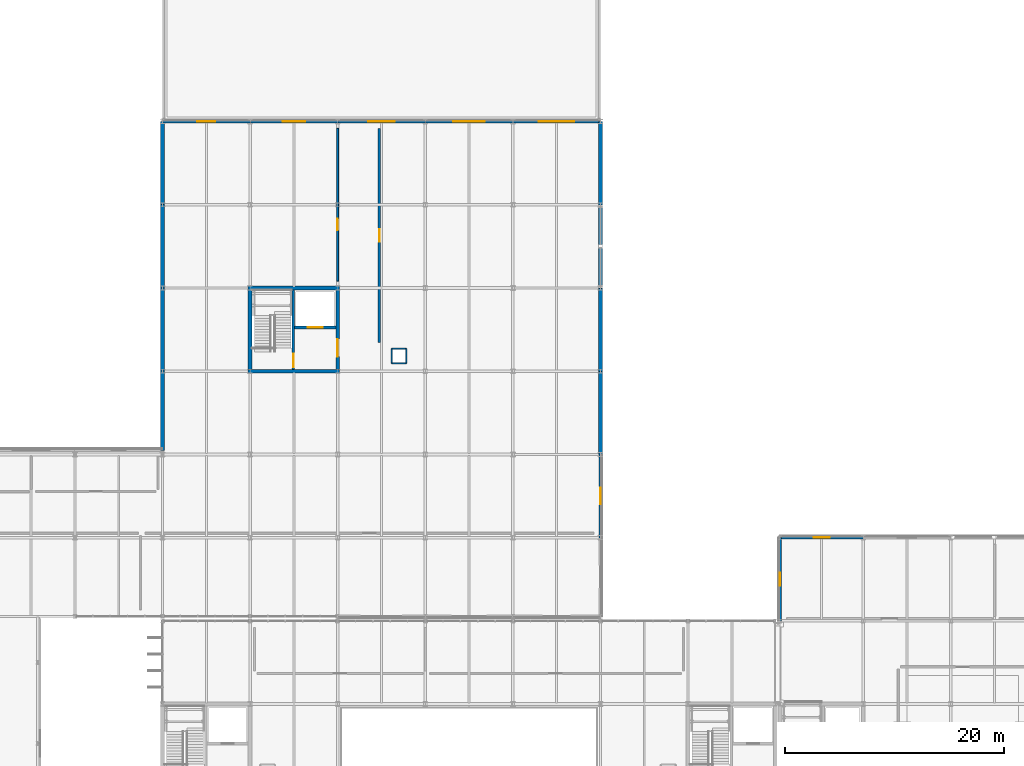
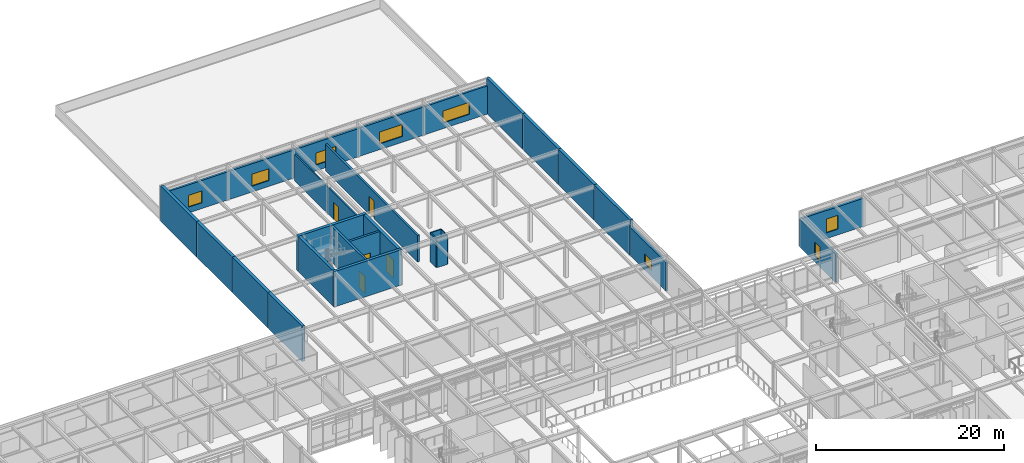
# One storey, part 86 of 104: 28 walls, 8 windows, 5 doors, 13 openings.
"""IFC4 building model written with IfcOpenShell, lengths in metres."""

from ifc_helpers import new_model, si_unit, direction, frame, frame_2d, origin, place, context, subcontext, project, spatial, rectangle, extrude, material, layer, layer_set, type_object, element, fill, save


model = new_model("IFC4")

# Units and contexts
model_context = context("Model", 3, precision=1e-05, world=origin(), true_north=direction((0.0, 1.0)))
body_context = subcontext(model_context, "Body", "Model", "MODEL_VIEW")
ifc_project = project(units=[si_unit("LENGTHUNIT", "METRE"), si_unit("AREAUNIT", "SQUARE_METRE"), si_unit("VOLUMEUNIT", "CUBIC_METRE"), si_unit("PLANEANGLEUNIT", "RADIAN"), si_unit("MASSUNIT", "GRAM", prefix="KILO")], contexts=[model_context])

# Site, building, storey
site_placement = place(None, origin())
site = spatial("IfcSite", under=ifc_project, at=site_placement, CompositionType="ELEMENT")
building_placement = place(site_placement, origin())
building = spatial("IfcBuilding", under=site, at=building_placement, Name="Zulena Civic Courthouse", CompositionType="ELEMENT")
storey_placement = place(building_placement, frame((0.0, 0.0, 10.800048828125)))
storey = spatial("IfcBuildingStorey", under=building, at=storey_placement, Name="L02", CompositionType="ELEMENT", Elevation=10.800048828125)

# Wall, opening, door
ifc_material_1 = material(Name="Concrete C40/50", Category="concrete")
ifc_layer_1 = layer(ifc_material_1, 0.25)
ifc_layer_set_1 = layer_set([ifc_layer_1], Name="Concrete C40/50")
wall_type_1 = type_object("IfcWallType", Name="CoreShearWall_RC250", PredefinedType="SHEAR", material=ifc_layer_set_1)
wall_1_placement = place(storey_placement, frame((79.949951171875, 68.574951171875, 0.0), z_axis=(0.0, 0.0, 1.0), x_axis=(0.0, 1.0, 0.0)))
wall_1 = element("IfcWall", 1, at=wall_1_placement, inside=storey, type_object=wall_type_1, Name="cwall:K5B:L02:DIV", PredefinedType="SHEAR", context=body_context, shape_type="SweptSolid", body=[
    extrude(rectangle(XDim=7.25, YDim=0.25, at=frame_2d((3.625, 0.0))), origin(), (0.0, 0.0, 1.0), 4.58984375),
])
opening_1_placement = place(wall_1_placement, frame((0.179931640625, 0.0, 0.0)))
opening_1 = element("IfcOpeningElement", 2, at=opening_1_placement, cuts=wall_1, Name="Opening ID06", PredefinedType="OPENING", context=body_context, shape_type="SweptSolid", body=[
    extrude(rectangle(XDim=1.25, YDim=2.199951171875, at=frame_2d((0.625, 1.10009765625))), frame((0.0, 0.135009765625, 0.0), z_axis=(0.0, -1.0, 0.0), x_axis=(1.0, 0.0, 0.0)), (0.0, 0.0, 1.0), 0.27001953125),
])
ifc_material_2 = material(Name="Fire-rated galvanised steel ASTM A653 Grade 50", Category="steel")
door_type_1 = type_object("IfcDoorType", Name="IntDoor_Stair_1250x2200", OperationType="NOTDEFINED", PredefinedType="DOOR", material=ifc_material_2)
door_1_placement = place(opening_1_placement, origin())
door_1 = element("IfcDoor", 3, at=door_1_placement, inside=storey, type_object=door_type_1, Name="door:stair:K5B:L02", OperationType="SINGLE_SWING_LEFT", OverallHeight=2.199951171875, OverallWidth=1.25, PredefinedType="DOOR", context=body_context, shape_type="SweptSolid", body=[
    extrude(rectangle(XDim=1.25, YDim=2.199951171875, at=frame_2d((0.625, 1.10009765625))), frame((0.0, 0.02490234375, 0.0), z_axis=(0.0, -1.0, 0.0), x_axis=(1.0, 0.0, 0.0)), (0.0, 0.0, 1.0), 0.050048828125),
])
fill(opening_1, door_1)

wall_2_placement = place(storey_placement, frame((80.074951171875, 72.39990234375, 0.0), z_axis=(0.0, 0.0, 1.0), x_axis=(1.0, 0.0, 0.0)))
wall_2 = element("IfcWall", 4, at=wall_2_placement, inside=storey, type_object=wall_type_1, Name="cwall:K5B:L02:SHF", PredefinedType="SHEAR", context=body_context, shape_type="SweptSolid", body=[
    extrude(rectangle(XDim=3.75, YDim=0.25, at=frame_2d((1.875, 0.0))), origin(), (0.0, 0.0, 1.0), 4.58984375),
])
opening_2_placement = place(wall_2_placement, frame((1.195068359375, 0.0, 0.0)))
opening_2 = element("IfcOpeningElement", 5, at=opening_2_placement, cuts=wall_2, Name="Opening LD04", PredefinedType="OPENING", context=body_context, shape_type="SweptSolid", body=[
    extrude(rectangle(XDim=1.35009765625, YDim=2.199951171875, at=frame_2d((0.675048828125, 1.10009765625))), frame((0.0, 0.135009765625, 0.0), z_axis=(0.0, -1.0, 0.0), x_axis=(1.0, 0.0, 0.0)), (0.0, 0.0, 1.0), 0.27001953125),
])
door_type_2 = type_object("IfcDoorType", Name="LiftLandingDoor_Goods_1350x2300", OperationType="DOUBLE_DOOR_SLIDING", PredefinedType="DOOR", material=ifc_material_2)
door_2_placement = place(opening_2_placement, origin())
door_2 = element("IfcDoor", 6, at=door_2_placement, inside=storey, type_object=door_type_2, Name="door:ld:CL-02:L02", OperationType="DOUBLE_DOOR_SLIDING", OverallHeight=2.199951171875, OverallWidth=1.35009765625, PredefinedType="DOOR", context=body_context, shape_type="SweptSolid", body=[
    extrude(rectangle(XDim=1.35009765625, YDim=2.199951171875, at=frame_2d((0.675048828125, 1.10009765625))), frame((0.0, 0.02490234375, 0.0), z_axis=(0.0, -1.0, 0.0), x_axis=(1.0, 0.0, 0.0)), (0.0, 0.0, 1.0), 0.050048828125),
])
fill(opening_2, door_2)

# Walls
ifc_layer_2 = layer(ifc_material_1, 0.35009765625)
ifc_layer_set_2 = layer_set([ifc_layer_2], Name="Concrete C40/50")
wall_type_2 = type_object("IfcWallType", Name="CoreShearWall_RC350", PredefinedType="SHEAR", material=ifc_layer_set_2)
for number, where, z_axis, x_axis, name in (
    (7, (75.824951171875, 68.39990234375, 0.0), (0.0, 0.0, 1.0), (1.0, 0.0, 0.0), "cwall:K5B:L02:S"),
    (8, (75.824951171875, 76.0, 0.0), (0.0, 0.0, 1.0), (1.0, 0.0, 0.0), "cwall:K5B:L02:N"),
):
    element("IfcWall", number, at=place(storey_placement, frame(where, z_axis=z_axis, x_axis=x_axis)), inside=storey, type_object=wall_type_2, Name=name, PredefinedType="SHEAR", context=body_context, shape_type="SweptSolid", body=[
        extrude(rectangle(XDim=8.35009765625, YDim=0.35009765625, at=frame_2d((4.175048828125, 0.0))), origin(), (0.0, 0.0, 1.0), 4.58984375),
    ])
wall_3_placement = place(storey_placement, frame((76.0, 68.574951171875, 0.0), z_axis=(0.0, 0.0, 1.0), x_axis=(0.0, 1.0, 0.0)))
element("IfcWall", 9, at=wall_3_placement, inside=storey, type_object=wall_type_2, Name="cwall:K5B:L02:W", PredefinedType="SHEAR", context=body_context, shape_type="SweptSolid", body=[
    extrude(rectangle(XDim=7.25, YDim=0.35009765625, at=frame_2d((3.625, 0.0))), origin(), (0.0, 0.0, 1.0), 4.58984375),
])

# Wall, opening, door
wall_4_placement = place(storey_placement, frame((84.0, 68.574951171875, 0.0), z_axis=(0.0, 0.0, 1.0), x_axis=(0.0, 1.0, 0.0)))
wall_4 = element("IfcWall", 10, at=wall_4_placement, inside=storey, type_object=wall_type_2, Name="cwall:K5B:L02:E", PredefinedType="SHEAR", context=body_context, shape_type="SweptSolid", body=[
    extrude(rectangle(XDim=7.25, YDim=0.35009765625, at=frame_2d((3.625, 0.0))), origin(), (0.0, 0.0, 1.0), 4.58984375),
])
opening_3_placement = place(wall_4_placement, frame((1.14990234375, 0.0, 0.0)))
opening_3 = element("IfcOpeningElement", 11, at=opening_3_placement, cuts=wall_4, Name="Opening ID04", PredefinedType="OPENING", context=body_context, shape_type="SweptSolid", body=[
    extrude(rectangle(XDim=1.60009765625, YDim=2.35009765625, at=frame_2d((0.800048828125, 1.175048828125))), frame((0.0, 0.18505859375, 0.0), z_axis=(0.0, -1.0, 0.0), x_axis=(1.0, 0.0, 0.0)), (0.0, 0.0, 1.0), 0.3701171875),
])
ifc_material_3 = material(Name="Solid-core acoustic hardwood timber", Category="wood")
door_type_3 = type_object("IfcDoorType", Name="IntDoor_CourtPublic_1600x2350", OperationType="DOUBLE_DOOR_SINGLE_SWING", PredefinedType="DOOR", material=ifc_material_3)
door_3_placement = place(opening_3_placement, origin())
door_3 = element("IfcDoor", 12, at=door_3_placement, inside=storey, type_object=door_type_3, Name="door:corelob:K5B:L02", OperationType="DOUBLE_DOOR_SINGLE_SWING", OverallHeight=2.35009765625, OverallWidth=1.60009765625, PredefinedType="DOOR", context=body_context, shape_type="SweptSolid", body=[
    extrude(rectangle(XDim=1.60009765625, YDim=2.35009765625, at=frame_2d((0.800048828125, 1.175048828125))), frame((0.0, 0.02490234375, 0.0), z_axis=(0.0, -1.0, 0.0), x_axis=(1.0, 0.0, 0.0)), (0.0, 0.0, 1.0), 0.050048828125),
])
fill(opening_3, door_3)

# Wall, opening, window
ifc_material_4 = material(Name="Buff architectural precast concrete C40/50", Category="concrete")
ifc_layer_3 = layer(ifc_material_4, 0.264892578125)
ifc_layer_set_3 = layer_set([ifc_layer_3], Name="Buff architectural precast concrete C40/50")
wall_type_3 = type_object("IfcWallType", Name="ExtWall_BuffPrecast_265", PredefinedType="STANDARD", material=ifc_layer_set_3)
wall_5_placement = place(storey_placement, frame((67.97998046875, 91.199951171875, 0.0), z_axis=(0.0, 0.0, 1.0), x_axis=(1.0, 0.0, 0.0)))
wall_5 = element("IfcWall", 13, at=wall_5_placement, inside=storey, type_object=wall_type_3, Name="ewall:V5:L02:3:0", PredefinedType="STANDARD", context=body_context, shape_type="SweptSolid", body=[
    extrude(rectangle(XDim=8.0400390625, YDim=0.264892578125, at=frame_2d((4.02001953125, 0.0))), origin(), (0.0, 0.0, 1.0), 3.659912109375),
])
opening_4_placement = place(wall_5_placement, frame((3.195068359375, 0.0, 0.75)))
opening_4 = element("IfcOpeningElement", 14, at=opening_4_placement, cuts=wall_5, Name="Opening WN25", PredefinedType="OPENING", context=body_context, shape_type="SweptSolid", body=[
    extrude(rectangle(XDim=1.64990234375, YDim=1.550048828125, at=frame_2d((0.824951171875, 0.77490234375))), frame((0.0, 0.142333984375, 0.0), z_axis=(0.0, -1.0, 0.0), x_axis=(1.0, 0.0, 0.0)), (0.0, 0.0, 1.0), 0.284912109375),
])
ifc_material_5 = material(Name="Double-silver low-E laminated solar-control glass", Category="glass")
window_type_1 = type_object("IfcWindowType", Name="Win_1650x1550", PartitioningType="SINGLE_PANEL", PredefinedType="WINDOW", material=ifc_material_5)
window_1_placement = place(opening_4_placement, origin())
window_1 = element("IfcWindow", 15, at=window_1_placement, inside=storey, type_object=window_type_1, Name="win:V5:L02:3:0", OverallHeight=1.550048828125, OverallWidth=1.64990234375, PartitioningType="SINGLE_PANEL", PredefinedType="WINDOW", context=body_context, shape_type="SweptSolid", body=[
    extrude(rectangle(XDim=1.64990234375, YDim=1.550048828125, at=frame_2d((0.824951171875, 0.77490234375))), frame((0.0, 0.030029296875, 0.0), z_axis=(0.0, -1.0, 0.0), x_axis=(1.0, 0.0, 0.0)), (0.0, 0.0, 1.0), 0.06005859375),
])
fill(opening_4, window_1)

wall_6_placement = place(storey_placement, frame((75.97998046875, 91.199951171875, 0.0), z_axis=(0.0, 0.0, 1.0), x_axis=(1.0, 0.0, 0.0)))
wall_6 = element("IfcWall", 16, at=wall_6_placement, inside=storey, type_object=wall_type_3, Name="ewall:V5:L02:3:1", PredefinedType="STANDARD", context=body_context, shape_type="SweptSolid", body=[
    extrude(rectangle(XDim=8.0400390625, YDim=0.264892578125, at=frame_2d((4.02001953125, 0.0))), origin(), (0.0, 0.0, 1.0), 3.659912109375),
])
opening_5_placement = place(wall_6_placement, frame((2.9951171875, 0.0, 0.75)))
opening_5 = element("IfcOpeningElement", 17, at=opening_5_placement, cuts=wall_6, Name="Opening WN26", PredefinedType="OPENING", context=body_context, shape_type="SweptSolid", body=[
    extrude(rectangle(XDim=2.050048828125, YDim=1.550048828125, at=frame_2d((1.02490234375, 0.77490234375))), frame((0.0, 0.142333984375, 0.0), z_axis=(0.0, -1.0, 0.0), x_axis=(1.0, 0.0, 0.0)), (0.0, 0.0, 1.0), 0.284912109375),
])
window_type_2 = type_object("IfcWindowType", Name="Win_2050x1550", PartitioningType="DOUBLE_PANEL_VERTICAL", PredefinedType="WINDOW", material=ifc_material_5)
window_2_placement = place(opening_5_placement, origin())
window_2 = element("IfcWindow", 18, at=window_2_placement, inside=storey, type_object=window_type_2, Name="win:V5:L02:3:1", OverallHeight=1.550048828125, OverallWidth=2.050048828125, PartitioningType="SINGLE_PANEL", PredefinedType="WINDOW", context=body_context, shape_type="SweptSolid", body=[
    extrude(rectangle(XDim=2.050048828125, YDim=1.550048828125, at=frame_2d((1.02490234375, 0.77490234375))), frame((0.0, 0.030029296875, 0.0), z_axis=(0.0, -1.0, 0.0), x_axis=(1.0, 0.0, 0.0)), (0.0, 0.0, 1.0), 0.06005859375),
])
fill(opening_5, window_2)

wall_7_placement = place(storey_placement, frame((83.97998046875, 91.199951171875, 0.0), z_axis=(0.0, 0.0, 1.0), x_axis=(1.0, 0.0, 0.0)))
wall_7 = element("IfcWall", 19, at=wall_7_placement, inside=storey, type_object=wall_type_3, Name="ewall:V5:L02:3:2", PredefinedType="STANDARD", context=body_context, shape_type="SweptSolid", body=[
    extrude(rectangle(XDim=8.0400390625, YDim=0.264892578125, at=frame_2d((4.02001953125, 0.0))), origin(), (0.0, 0.0, 1.0), 3.659912109375),
])
opening_6_placement = place(wall_7_placement, frame((2.794921875, 0.0, 0.75)))
opening_6 = element("IfcOpeningElement", 20, at=opening_6_placement, cuts=wall_7, Name="Opening WN27", PredefinedType="OPENING", context=body_context, shape_type="SweptSolid", body=[
    extrude(rectangle(XDim=2.449951171875, YDim=1.550048828125, at=frame_2d((1.22509765625, 0.77490234375))), frame((0.0, 0.142333984375, 0.0), z_axis=(0.0, -1.0, 0.0), x_axis=(1.0, 0.0, 0.0)), (0.0, 0.0, 1.0), 0.284912109375),
])
window_type_3 = type_object("IfcWindowType", Name="Win_2450x1550", PartitioningType="DOUBLE_PANEL_VERTICAL", PredefinedType="WINDOW", material=ifc_material_5)
window_3_placement = place(opening_6_placement, origin())
window_3 = element("IfcWindow", 21, at=window_3_placement, inside=storey, type_object=window_type_3, Name="win:V5:L02:3:2", OverallHeight=1.550048828125, OverallWidth=2.449951171875, PartitioningType="SINGLE_PANEL", PredefinedType="WINDOW", context=body_context, shape_type="SweptSolid", body=[
    extrude(rectangle(XDim=2.449951171875, YDim=1.550048828125, at=frame_2d((1.22509765625, 0.77490234375))), frame((0.0, 0.030029296875, 0.0), z_axis=(0.0, -1.0, 0.0), x_axis=(1.0, 0.0, 0.0)), (0.0, 0.0, 1.0), 0.06005859375),
])
fill(opening_6, window_3)

wall_8_placement = place(storey_placement, frame((91.97998046875, 91.199951171875, 0.0), z_axis=(0.0, 0.0, 1.0), x_axis=(1.0, 0.0, 0.0)))
wall_8 = element("IfcWall", 22, at=wall_8_placement, inside=storey, type_object=wall_type_3, Name="ewall:V5:L02:3:3", PredefinedType="STANDARD", context=body_context, shape_type="SweptSolid", body=[
    extrude(rectangle(XDim=8.0400390625, YDim=0.264892578125, at=frame_2d((4.02001953125, 0.0))), origin(), (0.0, 0.0, 1.0), 3.659912109375),
])
opening_7_placement = place(wall_8_placement, frame((2.594970703125, 0.0, 0.75)))
opening_7 = element("IfcOpeningElement", 23, at=opening_7_placement, cuts=wall_8, Name="Opening WN28", PredefinedType="OPENING", context=body_context, shape_type="SweptSolid", body=[
    extrude(rectangle(XDim=2.85009765625, YDim=1.550048828125, at=frame_2d((1.425048828125, 0.77490234375))), frame((0.0, 0.142333984375, 0.0), z_axis=(0.0, -1.0, 0.0), x_axis=(1.0, 0.0, 0.0)), (0.0, 0.0, 1.0), 0.284912109375),
])
window_type_4 = type_object("IfcWindowType", Name="Win_2850x1550", PartitioningType="DOUBLE_PANEL_VERTICAL", PredefinedType="WINDOW", material=ifc_material_5)
window_4_placement = place(opening_7_placement, origin())
window_4 = element("IfcWindow", 24, at=window_4_placement, inside=storey, type_object=window_type_4, Name="win:V5:L02:3:3", OverallHeight=1.550048828125, OverallWidth=2.85009765625, PartitioningType="SINGLE_PANEL", PredefinedType="WINDOW", context=body_context, shape_type="SweptSolid", body=[
    extrude(rectangle(XDim=2.85009765625, YDim=1.550048828125, at=frame_2d((1.425048828125, 0.77490234375))), frame((0.0, 0.030029296875, 0.0), z_axis=(0.0, -1.0, 0.0), x_axis=(1.0, 0.0, 0.0)), (0.0, 0.0, 1.0), 0.06005859375),
])
fill(opening_7, window_4)

wall_9_placement = place(storey_placement, frame((99.97998046875, 91.199951171875, 0.0), z_axis=(0.0, 0.0, 1.0), x_axis=(1.0, 0.0, 0.0)))
wall_9 = element("IfcWall", 25, at=wall_9_placement, inside=storey, type_object=wall_type_3, Name="ewall:V5:L02:3:4", PredefinedType="STANDARD", context=body_context, shape_type="SweptSolid", body=[
    extrude(rectangle(XDim=8.0400390625, YDim=0.264892578125, at=frame_2d((4.02001953125, 0.0))), origin(), (0.0, 0.0, 1.0), 3.659912109375),
])
opening_8_placement = place(wall_9_placement, frame((2.39501953125, 0.0, 0.75)))
opening_8 = element("IfcOpeningElement", 26, at=opening_8_placement, cuts=wall_9, Name="Opening WN29", PredefinedType="OPENING", context=body_context, shape_type="SweptSolid", body=[
    extrude(rectangle(XDim=3.25, YDim=1.550048828125, at=frame_2d((1.625, 0.77490234375))), frame((0.0, 0.142333984375, 0.0), z_axis=(0.0, -1.0, 0.0), x_axis=(1.0, 0.0, 0.0)), (0.0, 0.0, 1.0), 0.284912109375),
])
window_type_5 = type_object("IfcWindowType", Name="Win_3250x1550", PartitioningType="DOUBLE_PANEL_VERTICAL", PredefinedType="WINDOW", material=ifc_material_5)
window_5_placement = place(opening_8_placement, origin())
window_5 = element("IfcWindow", 27, at=window_5_placement, inside=storey, type_object=window_type_5, Name="win:V5:L02:3:4", OverallHeight=1.550048828125, OverallWidth=3.25, PartitioningType="SINGLE_PANEL", PredefinedType="WINDOW", context=body_context, shape_type="SweptSolid", body=[
    extrude(rectangle(XDim=3.25, YDim=1.550048828125, at=frame_2d((1.625, 0.77490234375))), frame((0.0, 0.030029296875, 0.0), z_axis=(0.0, -1.0, 0.0), x_axis=(1.0, 0.0, 0.0)), (0.0, 0.0, 1.0), 0.06005859375),
])
fill(opening_8, window_5)

wall_10_placement = place(storey_placement, frame((108.0, 60.820068359375, 0.0), z_axis=(0.0, 0.0, 1.0), x_axis=(0.0, -1.0, 0.0)))
wall_10 = element("IfcWall", 28, at=wall_10_placement, inside=storey, type_object=wall_type_3, Name="ewall:V5:L02:4:4", PredefinedType="STANDARD", context=body_context, shape_type="SweptSolid", body=[
    extrude(rectangle(XDim=7.64013671875, YDim=0.264892578125, at=frame_2d((3.820068359375, 0.0))), origin(), (0.0, 0.0, 1.0), 3.659912109375),
])
opening_9_placement = place(wall_10_placement, frame((3.070068359375, 0.0, 0.75)))
opening_9 = element("IfcOpeningElement", 29, at=opening_9_placement, cuts=wall_10, Name="Opening WN30", PredefinedType="OPENING", context=body_context, shape_type="SweptSolid", body=[
    extrude(rectangle(XDim=1.5, YDim=1.300048828125, at=frame_2d((0.75, 0.64990234375))), frame((0.0, 0.142333984375, 0.0), z_axis=(0.0, -1.0, 0.0), x_axis=(1.0, 0.0, 0.0)), (0.0, 0.0, 1.0), 0.284912109375),
])
window_type_6 = type_object("IfcWindowType", Name="Win_1500x1300", PartitioningType="SINGLE_PANEL", PredefinedType="WINDOW", material=ifc_material_5)
window_6_placement = place(opening_9_placement, origin())
window_6 = element("IfcWindow", 30, at=window_6_placement, inside=storey, type_object=window_type_6, Name="win:V5:L02:4:4", OverallHeight=1.300048828125, OverallWidth=1.5, PartitioningType="SINGLE_PANEL", PredefinedType="WINDOW", context=body_context, shape_type="SweptSolid", body=[
    extrude(rectangle(XDim=1.5, YDim=1.300048828125, at=frame_2d((0.75, 0.64990234375))), frame((0.0, 0.030029296875, 0.0), z_axis=(0.0, -1.0, 0.0), x_axis=(1.0, 0.0, 0.0)), (0.0, 0.0, 1.0), 0.06005859375),
])
fill(opening_9, window_6)

# Walls
ifc_layer_4 = layer(ifc_material_1, 0.360107421875)
ifc_layer_set_4 = layer_set([ifc_layer_4], Name="Concrete C40/50")
wall_type_4 = type_object("IfcWallType", Name="ExtWall_PartyWall_360", PredefinedType="STANDARD", material=ifc_layer_set_4)
wall_11_placement = place(storey_placement, frame((68.0, 61.179931640625, 0.0), z_axis=(0.0, 0.0, 1.0), x_axis=(0.0, 1.0, 0.0)))
element("IfcWall", 31, at=wall_11_placement, inside=storey, type_object=wall_type_4, Name="ewall:V5:L02:2:0", PredefinedType="STANDARD", context=body_context, shape_type="SweptSolid", body=[
    extrude(rectangle(XDim=7.239990234375, YDim=0.360107421875, at=frame_2d((3.6201171875, 0.0))), origin(), (0.0, 0.0, 1.0), 4.599853515625),
])
for number, where, z_axis, x_axis, name in (
    (32, (68.0, 68.3798828125, 0.0), (0.0, 0.0, 1.0), (0.0, 1.0, 0.0), "ewall:V5:L02:2:1"),
    (33, (68.0, 75.97998046875, 0.0), (0.0, 0.0, 1.0), (0.0, 1.0, 0.0), "ewall:V5:L02:2:2"),
):
    element("IfcWall", number, at=place(storey_placement, frame(where, z_axis=z_axis, x_axis=x_axis)), inside=storey, type_object=wall_type_4, Name=name, PredefinedType="STANDARD", context=body_context, shape_type="SweptSolid", body=[
        extrude(rectangle(XDim=7.64013671875, YDim=0.360107421875, at=frame_2d((3.820068359375, 0.0))), origin(), (0.0, 0.0, 1.0), 4.599853515625),
    ])
for number, where, z_axis, x_axis, name in (
    (34, (68.0, 83.580078125, 0.0), (0.0, 0.0, 1.0), (0.0, 1.0, 0.0), "ewall:V5:L02:2:3"),
    (35, (108.0, 91.219970703125, 0.0), (0.0, 0.0, 1.0), (0.0, -1.0, 0.0), "ewall:V5:L02:4:0"),
):
    element("IfcWall", number, at=place(storey_placement, frame(where, z_axis=z_axis, x_axis=x_axis)), inside=storey, type_object=wall_type_4, Name=name, PredefinedType="STANDARD", context=body_context, shape_type="SweptSolid", body=[
        extrude(rectangle(XDim=7.639892578125, YDim=0.360107421875, at=frame_2d((3.81982421875, 0.0))), origin(), (0.0, 0.0, 1.0), 4.599853515625),
    ])
for number, where, z_axis, x_axis, name in (
    (36, (108.0, 83.6201171875, 0.0), (0.0, 0.0, 1.0), (0.0, -1.0, 0.0), "ewall:V5:L02:4:1"),
    (37, (108.0, 76.02001953125, 0.0), (0.0, 0.0, 1.0), (0.0, -1.0, 0.0), "ewall:V5:L02:4:2"),
):
    element("IfcWall", number, at=place(storey_placement, frame(where, z_axis=z_axis, x_axis=x_axis)), inside=storey, type_object=wall_type_4, Name=name, PredefinedType="STANDARD", context=body_context, shape_type="SweptSolid", body=[
        extrude(rectangle(XDim=7.64013671875, YDim=0.360107421875, at=frame_2d((3.820068359375, 0.0))), origin(), (0.0, 0.0, 1.0), 4.599853515625),
    ])
wall_12_placement = place(storey_placement, frame((108.0, 68.419921875, 0.0), z_axis=(0.0, 0.0, 1.0), x_axis=(0.0, -1.0, 0.0)))
element("IfcWall", 38, at=wall_12_placement, inside=storey, type_object=wall_type_4, Name="ewall:V5:L02:4:3", PredefinedType="STANDARD", context=body_context, shape_type="SweptSolid", body=[
    extrude(rectangle(XDim=7.639892578125, YDim=0.360107421875, at=frame_2d((3.81982421875, 0.0))), origin(), (0.0, 0.0, 1.0), 4.599853515625),
])

# Wall, opening, window
ifc_material_6 = material(Name="Travertine-cream architectural precast concrete C40/50", Category="masonry")
ifc_layer_5 = layer(ifc_material_6, 0.280029296875)
ifc_layer_set_5 = layer_set([ifc_layer_5], Name="Travertine-cream architectural precast concrete C40/50")
wall_type_5 = type_object("IfcWallType", Name="ExtWall_TravPrecast_280", PredefinedType="STANDARD", material=ifc_layer_set_5)
wall_13_placement = place(storey_placement, frame((124.39990234375, 45.580078125, 0.0), z_axis=(0.0, 0.0, 1.0), x_axis=(0.0, 1.0, 0.0)))
wall_13 = element("IfcWall", 39, at=wall_13_placement, inside=storey, type_object=wall_type_5, Name="ewall:V3:L02:0:2", PredefinedType="STANDARD", context=body_context, shape_type="SweptSolid", body=[
    extrude(rectangle(XDim=7.639892578125, YDim=0.280029296875, at=frame_2d((3.81982421875, 0.0))), origin(), (0.0, 0.0, 1.0), 3.659912109375),
])
opening_10_placement = place(wall_13_placement, frame((3.219970703125, 0.0, 0.75)))
opening_10 = element("IfcOpeningElement", 40, at=opening_10_placement, cuts=wall_13, Name="Opening WN16", PredefinedType="OPENING", context=body_context, shape_type="SweptSolid", body=[
    extrude(rectangle(XDim=1.199951171875, YDim=1.800048828125, at=frame_2d((0.60009765625, 0.89990234375))), frame((0.0, 0.14990234375, 0.0), z_axis=(0.0, -1.0, 0.0), x_axis=(1.0, 0.0, 0.0)), (0.0, 0.0, 1.0), 0.300048828125),
])
window_type_7 = type_object("IfcWindowType", Name="Win_1200x1800", PartitioningType="SINGLE_PANEL", PredefinedType="WINDOW", material=ifc_material_5)
window_7_placement = place(opening_10_placement, origin())
window_7 = element("IfcWindow", 41, at=window_7_placement, inside=storey, type_object=window_type_7, Name="win:V3:L02:0:2", OverallHeight=1.800048828125, OverallWidth=1.199951171875, PartitioningType="SINGLE_PANEL", PredefinedType="WINDOW", context=body_context, shape_type="SweptSolid", body=[
    extrude(rectangle(XDim=1.199951171875, YDim=1.800048828125, at=frame_2d((0.60009765625, 0.89990234375))), frame((0.0, 0.030029296875, 0.0), z_axis=(0.0, -1.0, 0.0), x_axis=(1.0, 0.0, 0.0)), (0.0, 0.0, 1.0), 0.06005859375),
])
fill(opening_10, window_7)

wall_14_placement = place(storey_placement, frame((124.3798828125, 53.199951171875, 0.0), z_axis=(0.0, 0.0, 1.0), x_axis=(1.0, 0.0, 0.0)))
wall_14 = element("IfcWall", 42, at=wall_14_placement, inside=storey, type_object=wall_type_5, Name="ewall:V3:L02:1:0", PredefinedType="STANDARD", context=body_context, shape_type="SweptSolid", body=[
    extrude(rectangle(XDim=7.64013671875, YDim=0.280029296875, at=frame_2d((3.820068359375, 0.0))), origin(), (0.0, 0.0, 1.0), 3.659912109375),
])
opening_11_placement = place(wall_14_placement, frame((3.094970703125, 0.0, 0.75)))
opening_11 = element("IfcOpeningElement", 43, at=opening_11_placement, cuts=wall_14, Name="Opening WN17", PredefinedType="OPENING", context=body_context, shape_type="SweptSolid", body=[
    extrude(rectangle(XDim=1.449951171875, YDim=1.800048828125, at=frame_2d((0.72509765625, 0.89990234375))), frame((0.0, 0.14990234375, 0.0), z_axis=(0.0, -1.0, 0.0), x_axis=(1.0, 0.0, 0.0)), (0.0, 0.0, 1.0), 0.300048828125),
])
window_type_8 = type_object("IfcWindowType", Name="Win_1450x1800", PartitioningType="SINGLE_PANEL", PredefinedType="WINDOW", material=ifc_material_5)
window_8_placement = place(opening_11_placement, origin())
window_8 = element("IfcWindow", 44, at=window_8_placement, inside=storey, type_object=window_type_8, Name="win:V3:L02:1:0", OverallHeight=1.800048828125, OverallWidth=1.449951171875, PartitioningType="SINGLE_PANEL", PredefinedType="WINDOW", context=body_context, shape_type="SweptSolid", body=[
    extrude(rectangle(XDim=1.449951171875, YDim=1.800048828125, at=frame_2d((0.72509765625, 0.89990234375))), frame((0.0, 0.030029296875, 0.0), z_axis=(0.0, -1.0, 0.0), x_axis=(1.0, 0.0, 0.0)), (0.0, 0.0, 1.0), 0.06005859375),
])
fill(opening_11, window_8)

# Wall, opening, door
ifc_material_7 = material(Name="Acoustic fire-rated gypsum board assembly", Category="masonry")
ifc_layer_6 = layer(ifc_material_7, 0.177978515625)
ifc_layer_set_6 = layer_set([ifc_layer_6], Name="Acoustic fire-rated gypsum board assembly")
wall_type_6 = type_object("IfcWallType", Name="PartWall_Corridor_178", PredefinedType="PARTITIONING", material=ifc_layer_set_6)
wall_15_placement = place(storey_placement, frame((84.0, 76.6201171875, 0.0), z_axis=(0.0, 0.0, 1.0), x_axis=(0.0, 1.0, 0.0)))
wall_15 = element("IfcWall", 45, at=wall_15_placement, inside=storey, type_object=wall_type_6, Name="pwall:L02:394:0", PredefinedType="PARTITIONING", context=body_context, shape_type="SweptSolid", body=[
    extrude(rectangle(XDim=13.9599609375, YDim=0.177978515625, at=frame_2d((6.97998046875, 0.0))), origin(), (0.0, 0.0, 1.0), 3.449951171875),
])
opening_12_placement = place(wall_15_placement, frame((4.669921875, 0.0, 0.0)))
opening_12 = element("IfcOpeningElement", 46, at=opening_12_placement, cuts=wall_15, Name="Opening ID12", PredefinedType="OPENING", context=body_context, shape_type="SweptSolid", body=[
    extrude(rectangle(XDim=1.02001953125, YDim=2.25, at=frame_2d((0.510009765625, 1.125))), frame((0.0, 0.098876953125, 0.0), z_axis=(0.0, -1.0, 0.0), x_axis=(1.0, 0.0, 0.0)), (0.0, 0.0, 1.0), 0.197998046875),
])
door_type_4 = type_object("IfcDoorType", Name="IntDoor_Jury_1020x2250", OperationType="NOTDEFINED", PredefinedType="DOOR", material=ifc_material_3)
door_4_placement = place(opening_12_placement, origin())
door_4 = element("IfcDoor", 47, at=door_4_placement, inside=storey, type_object=door_type_4, Name="door:rm:L02:394", OperationType="SINGLE_SWING_RIGHT", OverallHeight=2.25, OverallWidth=1.02001953125, PredefinedType="DOOR", context=body_context, shape_type="SweptSolid", body=[
    extrude(rectangle(XDim=1.02001953125, YDim=2.25, at=frame_2d((0.510009765625, 1.125))), frame((0.0, 0.02490234375, 0.0), z_axis=(0.0, -1.0, 0.0), x_axis=(1.0, 0.0, 0.0)), (0.0, 0.0, 1.0), 0.050048828125),
])
fill(opening_12, door_4)

ifc_material_8 = material(Name="Insulated blockwork masonry ASTM C90", Category="masonry")
ifc_layer_7 = layer(ifc_material_8, 0.239990234375)
ifc_layer_set_7 = layer_set([ifc_layer_7], Name="Insulated blockwork masonry ASTM C90")
wall_type_7 = type_object("IfcWallType", Name="PartWall_Custody_240", PredefinedType="PARTITIONING", material=ifc_layer_set_7)
wall_16_placement = place(storey_placement, frame((87.800048828125, 71.02001953125, 0.0), z_axis=(0.0, 0.0, 1.0), x_axis=(0.0, 1.0, 0.0)))
wall_16 = element("IfcWall", 48, at=wall_16_placement, inside=storey, type_object=wall_type_7, Name="pwall:L02:393:0", PredefinedType="PARTITIONING", context=body_context, shape_type="SweptSolid", body=[
    extrude(rectangle(XDim=19.56005859375, YDim=0.239990234375, at=frame_2d((9.780029296875, 0.0))), origin(), (0.0, 0.0, 1.0), 3.449951171875),
])
opening_13_placement = place(wall_16_placement, frame((9.22998046875, 0.0, 0.0)))
opening_13 = element("IfcOpeningElement", 49, at=opening_13_placement, cuts=wall_16, Name="Opening ID11", PredefinedType="OPENING", context=body_context, shape_type="SweptSolid", body=[
    extrude(rectangle(XDim=1.10009765625, YDim=2.300048828125, at=frame_2d((0.550048828125, 1.14990234375))), frame((0.0, 0.1298828125, 0.0), z_axis=(0.0, -1.0, 0.0), x_axis=(1.0, 0.0, 0.0)), (0.0, 0.0, 1.0), 0.260009765625),
])
door_type_5 = type_object("IfcDoorType", Name="IntDoor_Jury_1100x2300", OperationType="NOTDEFINED", PredefinedType="DOOR", material=ifc_material_3)
door_5_placement = place(opening_13_placement, origin())
door_5 = element("IfcDoor", 50, at=door_5_placement, inside=storey, type_object=door_type_5, Name="door:rm:L02:393", OperationType="SINGLE_SWING_LEFT", OverallHeight=2.300048828125, OverallWidth=1.10009765625, PredefinedType="DOOR", context=body_context, shape_type="SweptSolid", body=[
    extrude(rectangle(XDim=1.10009765625, YDim=2.300048828125, at=frame_2d((0.550048828125, 1.14990234375))), frame((0.0, 0.02490234375, 0.0), z_axis=(0.0, -1.0, 0.0), x_axis=(1.0, 0.0, 0.0)), (0.0, 0.0, 1.0), 0.050048828125),
])
fill(opening_13, door_5)

# Walls
ifc_layer_8 = layer(ifc_material_8, 0.114990234375)
ifc_layer_set_8 = layer_set([ifc_layer_8], Name="Insulated blockwork masonry ASTM C90")
wall_type_8 = type_object("IfcWallType", Name="PartWall_Riser_115", PredefinedType="PARTITIONING", material=ifc_layer_set_8)
for number, where, z_axis, x_axis, name in (
    (51, (88.93994140625, 69.139892578125, 0.0), (0.0, 0.0, 1.0), (1.0, 0.0, 0.0), "riser:RS-V5N:L02:0"),
    (52, (90.260009765625, 69.139892578125, 0.0), (0.0, 0.0, 1.0), (0.0, 1.0, 0.0), "riser:RS-V5N:L02:1"),
    (53, (90.260009765625, 70.4599609375, 0.0), (0.0, 0.0, 1.0), (-1.0, 0.0, 0.0), "riser:RS-V5N:L02:2"),
    (54, (88.93994140625, 70.4599609375, 0.0), (0.0, 0.0, 1.0), (0.0, -1.0, 0.0), "riser:RS-V5N:L02:3"),
):
    element("IfcWall", number, at=place(storey_placement, frame(where, z_axis=z_axis, x_axis=x_axis)), inside=storey, type_object=wall_type_8, Name=name, PredefinedType="PARTITIONING", context=body_context, shape_type="SweptSolid", body=[
        extrude(rectangle(XDim=1.320068359375, YDim=0.114990234375, at=frame_2d((0.66015625, 0.0))), origin(), (0.0, 0.0, 1.0), 3.75),
    ])

save(model, "model.ifc")
